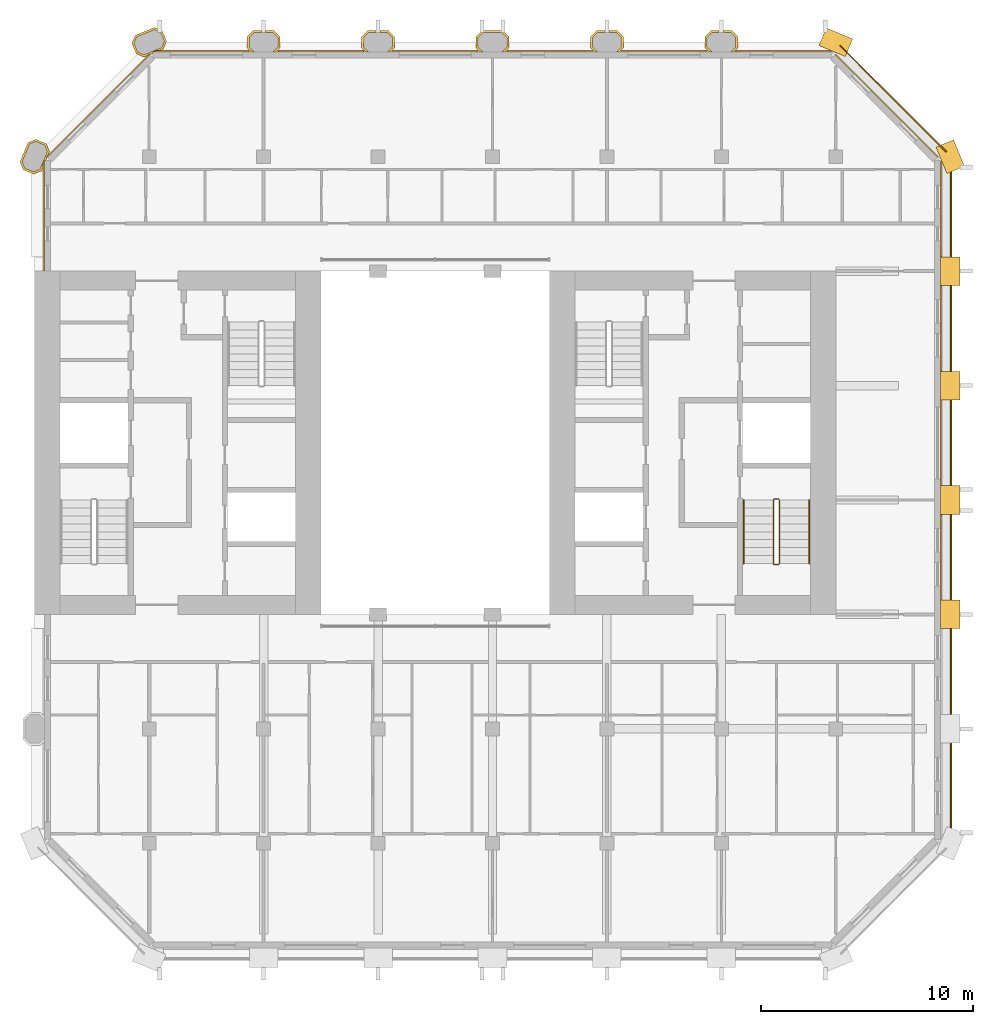
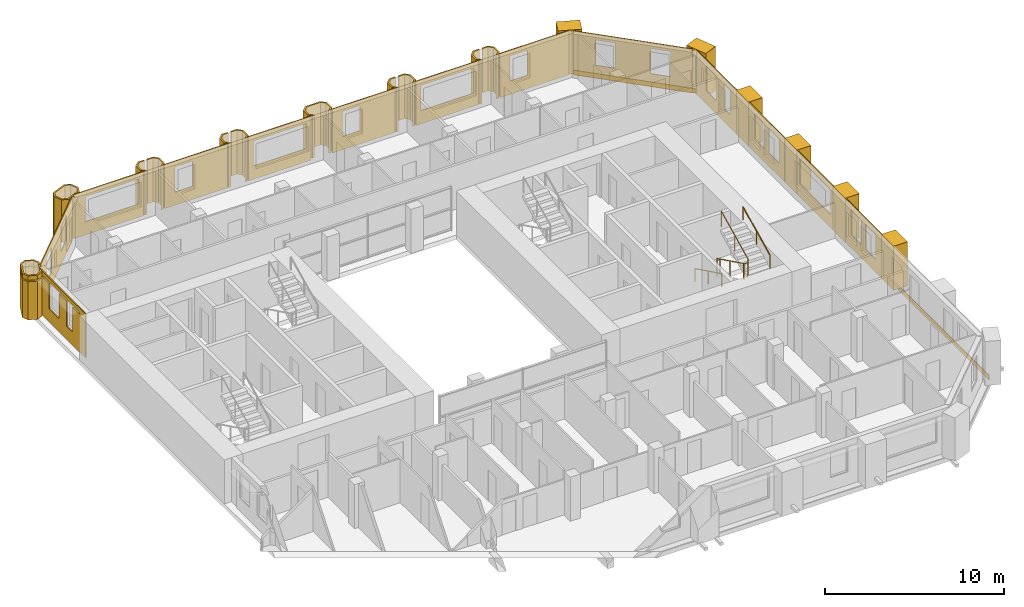
# One storey, part 14 of 14: 33 coverings, 3 railings.
"""IFC4 building model written with IfcOpenShell, lengths in metres."""

import ifcopenshell
import ifcopenshell.guid

model = None  # the IFC model being written
_history = None  # IfcOwnerHistory: only IFC2X3 demands one
_inside = {}  # id of a spatial element -> (the spatial element, [elements in it])
_under = {}  # id of a project, library or spatial element -> (it, [spatial elements below it])
_declared = {}  # id of a project -> (the project, [libraries it declares])
_typed = {}  # id of a type object -> (the type object, [elements of that type])
_made_of = {}  # id of a material, layer set ... -> (it, [elements and type objects made of it])


def new_model(schema):
    """Start an empty IFC model of exactly this schema.

    Asked for "IFC4X3", IfcOpenShell would pick the latest addendum, in which some entities
    have other attributes; the version numbers below select the first issue.
    IFC2X3 requires an IfcOwnerHistory on every rooted entity: one is made here for all.
    """
    global model, _history
    if schema == "IFC4X3":
        model = ifcopenshell.file(schema_version=(4, 3, 0, 0))
    else:
        model = ifcopenshell.file(schema=schema)
    _inside.clear()
    _under.clear()
    _declared.clear()
    _typed.clear()
    _made_of.clear()
    _history = None
    if model.schema == "IFC2X3":
        org = make("IfcOrganization", Name="unknown")
        user = make(
            "IfcPersonAndOrganization",
            ThePerson=make("IfcPerson", FamilyName="unknown"),
            TheOrganization=org,
        )
        app = make(
            "IfcApplication",
            ApplicationDeveloper=org,
            Version="unknown",
            ApplicationFullName="unknown",
            ApplicationIdentifier="unknown",
        )
        _history = make(
            "IfcOwnerHistory",
            OwningUser=user,
            OwningApplication=app,
            ChangeAction="ADDED",
            CreationDate=0,
        )
    return model


def make(cls, **values):
    """One entity of the class cls with the attributes given. An attribute that is None is left unset."""
    return model.create_entity(
        cls, **{name: value for name, value in values.items() if value is not None}
    )


def rooted(cls, **values):
    """An entity with a GlobalId (a new one), such as an element, a storey or a relation."""
    return make(cls, GlobalId=ifcopenshell.guid.new(), OwnerHistory=_history, **values)


def si_unit(unit_type, name, prefix=None):
    """IfcSIUnit, for example si_unit("LENGTHUNIT", "METRE", prefix="MILLI")."""
    return make("IfcSIUnit", UnitType=unit_type, Prefix=prefix, Name=name)


def assignment(units):
    """IfcUnitAssignment: the units of a project."""
    return None if units is None else make("IfcUnitAssignment", Units=units)


def point(xyz):
    """IfcCartesianPoint."""
    return None if xyz is None else make("IfcCartesianPoint", Coordinates=xyz)


def direction(xyz):
    """IfcDirection."""
    return None if xyz is None else make("IfcDirection", DirectionRatios=xyz)


def frame(location, z_axis=None, x_axis=None):
    """IfcAxis2Placement3D, a coordinate frame: its origin and axes. An axis left out is left unset."""
    return make(
        "IfcAxis2Placement3D",
        Location=point(location),
        Axis=direction(z_axis),
        RefDirection=direction(x_axis),
    )


def frame_2d(location, x_axis=None):
    """IfcAxis2Placement2D, a coordinate frame in the plane: its origin and x axis."""
    return make(
        "IfcAxis2Placement2D", Location=point(location), RefDirection=direction(x_axis)
    )


def origin():
    """The frame at (0, 0, 0) with its axes left unset."""
    return frame((0.0, 0.0, 0.0))


def origin_2d():
    """The frame at (0, 0) in the plane with its x axis left unset."""
    return frame_2d((0.0, 0.0))


def place(relative_to, where):
    """IfcLocalPlacement: puts the frame where relative to a parent placement (None: the world)."""
    return make(
        "IfcLocalPlacement", PlacementRelTo=relative_to, RelativePlacement=where
    )


def context(
    kind, dimensions, precision=None, world=None, true_north=None, identifier=None
):
    """IfcGeometricRepresentationContext, for example the 3D "Model" context."""
    return make(
        "IfcGeometricRepresentationContext",
        ContextIdentifier=identifier,
        ContextType=kind,
        CoordinateSpaceDimension=dimensions,
        Precision=precision,
        WorldCoordinateSystem=world,
        TrueNorth=true_north,
    )


def subcontext(parent, identifier, kind, view, scale=None):
    """IfcGeometricRepresentationSubContext, for example "Body" below "Model"."""
    return make(
        "IfcGeometricRepresentationSubContext",
        ContextIdentifier=identifier,
        ContextType=kind,
        ParentContext=parent,
        TargetScale=scale,
        TargetView=view,
    )


def project(units=None, contexts=None):
    """IfcProject with its units and contexts."""
    return rooted(
        "IfcProject",
        Name="project",
        RepresentationContexts=contexts,
        UnitsInContext=assignment(units),
    )


def spatial(cls, under=None, at=None, **own):
    """A site, building, storey or space (cls), placed at a placement, below another one or the project."""
    s = rooted(cls, ObjectPlacement=at, **own)
    if under is not None:
        _under.setdefault(under.id(), (under, []))[1].append(s)
    return s


def polyline(points):
    """IfcPolyline through the points."""
    return make("IfcPolyline", Points=[point(p) for p in points])


def profile(cls, at=None, kind="AREA", **sizes):
    """A parametric profile (cls). Its sizes go by their IFC names, for example OverallWidth=200.0."""
    return make(cls, ProfileType=kind, Position=at, **sizes)


def rectangle(**sizes):
    """IfcRectangleProfileDef."""
    return profile("IfcRectangleProfileDef", **sizes)


def circle(**sizes):
    """IfcCircleProfileDef."""
    return profile("IfcCircleProfileDef", **sizes)


def outline(outer, holes=None, kind="AREA"):
    """IfcArbitraryClosedProfileDef: a profile drawn as a closed curve; with holes, ...WithVoids."""
    if holes is None:
        return make("IfcArbitraryClosedProfileDef", ProfileType=kind, OuterCurve=outer)
    return make(
        "IfcArbitraryProfileDefWithVoids",
        ProfileType=kind,
        OuterCurve=outer,
        InnerCurves=holes,
    )


def extrude(swept, where, along, depth):
    """IfcExtrudedAreaSolid: the profile swept, set in the frame where, extruded along a direction by depth."""
    return make(
        "IfcExtrudedAreaSolid",
        SweptArea=swept,
        Position=where,
        ExtrudedDirection=direction(along),
        Depth=depth,
    )


def shape(context_of_items, identifier, shape_type, items):
    """IfcShapeRepresentation: the items that make up one representation, for example the "Body"."""
    return make(
        "IfcShapeRepresentation",
        ContextOfItems=context_of_items,
        RepresentationIdentifier=identifier,
        RepresentationType=shape_type,
        Items=items,
    )


def material(Name=None, Category=None):
    """IfcMaterial."""
    return make("IfcMaterial", Name=Name, Category=Category)


def layer(
    of_material, thickness, ventilated=None, Name=None, Category=None, Priority=None
):
    """IfcMaterialLayer: one layer of a wall or slab, of a material (None: an air gap)."""
    return make(
        "IfcMaterialLayer",
        Material=of_material,
        LayerThickness=thickness,
        IsVentilated=ventilated,
        Name=Name,
        Category=Category,
        Priority=Priority,
    )


def layer_set(layers, Name=None):
    """IfcMaterialLayerSet."""
    return make("IfcMaterialLayerSet", MaterialLayers=layers, LayerSetName=Name)


def made_of(thing, what):
    """Note that an element or type object is made of a material, layer set ...; save() writes the relation."""
    if what is not None:
        _made_of.setdefault(what.id(), (what, []))[1].append(thing)
    return thing


def type_object(cls, material=None, **own):
    """A type object (cls), such as IfcWallType, which elements share."""
    return made_of(rooted(cls, **own), material)


def element(
    cls,
    number,
    at=None,
    inside=None,
    cuts=None,
    type_object=None,
    material=None,
    context=None,
    identifier="Body",
    shape_type=None,
    held_by="IfcProductDefinitionShape",
    body=None,
    shapes=None,
    **own,
):
    """One element of the class cls, such as IfcWall. Its Tag is "e" and its number.

    at: its placement. inside: the storey or other place that contains it. cuts: it is an
    opening in that element (IfcRelVoidsElement). A single representation is given by context,
    identifier, shape_type and body (its items); several are given by shapes. held_by: the class
    of the entity that holds the representations. save() writes the other relations.
    """
    e = rooted(cls, Tag="e%d" % number, ObjectPlacement=at, **own)
    if body is not None:
        shapes = [shape(context, identifier, shape_type, body)]
    if shapes is not None:
        e.Representation = make(held_by, Representations=shapes)
    if inside is not None:
        _inside.setdefault(inside.id(), (inside, []))[1].append(e)
    if cuts is not None:
        rooted(
            "IfcRelVoidsElement", RelatingBuildingElement=cuts, RelatedOpeningElement=e
        )
    if type_object is not None:
        _typed.setdefault(type_object.id(), (type_object, []))[1].append(e)
    return made_of(e, material)


def aggregate(whole, parts):
    """IfcRelAggregates: a whole, such as a stair, and the parts it consists of."""
    return rooted("IfcRelAggregates", RelatingObject=whole, RelatedObjects=parts)


def save(model, path):
    """Write the relations noted so far, then the file.

    IfcRelAggregates (storeys below a building ...), IfcRelContainedInSpatialStructure (elements
    in a storey), IfcRelDefinesByType, IfcRelAssociatesMaterial and IfcRelDeclares: one each for
    every whole, place, type object, material and project.
    """
    for whole, parts in _under.values():
        aggregate(whole, parts)
    for where, things in _inside.values():
        rooted(
            "IfcRelContainedInSpatialStructure",
            RelatedElements=things,
            RelatingStructure=where,
        )
    for kind, things in _typed.values():
        rooted("IfcRelDefinesByType", RelatedObjects=things, RelatingType=kind)
    for what, things in _made_of.values():
        rooted("IfcRelAssociatesMaterial", RelatedObjects=things, RelatingMaterial=what)
    for by, libraries in _declared.values():
        rooted("IfcRelDeclares", RelatingContext=by, RelatedDefinitions=libraries)
    model.write(path)


model = new_model("IFC4")

# Units and contexts
model_context = context("Model", 3, precision=1e-05, world=origin(), true_north=direction((0.0, 1.0)))
body_context = subcontext(model_context, "Body", "Model", "MODEL_VIEW")
ifc_project = project(units=[si_unit("LENGTHUNIT", "METRE"), si_unit("AREAUNIT", "SQUARE_METRE"), si_unit("VOLUMEUNIT", "CUBIC_METRE"), si_unit("PLANEANGLEUNIT", "RADIAN"), si_unit("MASSUNIT", "GRAM", prefix="KILO")], contexts=[model_context])

# Site, building, storey
site_placement = place(None, origin())
site = spatial("IfcSite", under=ifc_project, at=site_placement, CompositionType="ELEMENT")
building_placement = place(site_placement, origin())
building = spatial("IfcBuilding", under=site, at=building_placement, Name="Tabaq Tower and Sports Hall", CompositionType="ELEMENT")
storey_placement = place(building_placement, frame((0.0, 0.0, 281.800048828125)))
storey = spatial("IfcBuildingStorey", under=building, at=storey_placement, Name="L69", CompositionType="ELEMENT", Elevation=281.800048828125)

# Coverings
ifc_material_1 = material(Name="Precast concrete C60/75", Category="concrete")
ifc_layer_1 = layer(ifc_material_1, 0.10009765625)
ifc_layer_set_1 = layer_set([ifc_layer_1], Name="Column cladding 100")
covering_type_1 = type_object("IfcCoveringType", Name="Column cladding 100", PredefinedType="CLADDING", material=ifc_layer_set_1)
covering_1_placement = place(storey_placement, origin())
element("IfcCovering", 1, at=covering_1_placement, inside=storey, type_object=covering_type_1, Name="Column cladding L69 PC-2H-R1", PredefinedType="CLADDING", context=body_context, shape_type="SweptSolid", body=[
    extrude(outline(polyline([(4.857421875, 37.186279296875), (4.7041015625, 37.556396484375), (5.080078125, 38.46435546875), (5.450439453125, 38.61767578125), (5.9423828125, 38.413818359375), (6.095947265625, 38.04345703125), (6.026123046875, 37.875), (5.9501953125, 37.799072265625), (5.9814453125, 37.767578125), (5.91796875, 37.614013671875), (5.849609375, 37.614013671875), (5.849609375, 37.55712890625), (5.789794921875, 37.55712890625), (5.789794921875, 37.304443359375), (5.7197265625, 37.1357421875), (5.349609375, 36.982421875), (4.857421875, 37.186279296875)]), holes=[polyline([(5.866455078125, 38.337646484375), (5.450439453125, 38.510009765625), (5.15625, 38.38818359375), (4.811767578125, 37.556396484375), (4.93359375, 37.26220703125), (5.349609375, 37.08984375), (5.643798828125, 37.2119140625), (5.98828125, 38.04345703125), (5.866455078125, 38.337646484375)])]), origin(), (0.0, 0.0, 1.0), 2.599853515625),
])
covering_2_placement = place(storey_placement, frame((0.0, 0.0, 2.699951171875)))
element("IfcCovering", 2, at=covering_2_placement, inside=storey, type_object=covering_type_1, Name="Column cladding L69 PC-2H-R1 2", PredefinedType="CLADDING", context=body_context, shape_type="SweptSolid", body=[
    extrude(outline(polyline([(4.857421875, 37.186279296875), (4.7041015625, 37.556396484375), (5.080078125, 38.46435546875), (5.450439453125, 38.61767578125), (5.9423828125, 38.413818359375), (6.095947265625, 38.04345703125), (6.026123046875, 37.875), (5.9501953125, 37.799072265625), (5.9814453125, 37.767578125), (5.91796875, 37.614013671875), (5.849609375, 37.614013671875), (5.849609375, 37.55712890625), (5.789794921875, 37.55712890625), (5.789794921875, 37.304443359375), (5.7197265625, 37.1357421875), (5.349609375, 36.982421875), (4.857421875, 37.186279296875)]), holes=[polyline([(5.866455078125, 38.337646484375), (5.450439453125, 38.510009765625), (5.15625, 38.38818359375), (4.811767578125, 37.556396484375), (4.93359375, 37.26220703125), (5.349609375, 37.08984375), (5.643798828125, 37.2119140625), (5.98828125, 38.04345703125), (5.866455078125, 38.337646484375)])]), origin(), (0.0, 0.0, 1.0), 0.300048828125),
])
covering_3_placement = place(storey_placement, frame((0.0, 0.0, 0.099853515625)))
element("IfcCovering", 3, at=covering_3_placement, inside=storey, type_object=covering_type_1, Name="Column cladding L69 PC-3I-R1", PredefinedType="CLADDING", context=body_context, shape_type="SweptSolid", body=[
    extrude(outline(polyline([(9.982421875, 43.149658203125), (10.1357421875, 43.519775390625), (11.04345703125, 43.895751953125), (11.413818359375, 43.742431640625), (11.61767578125, 43.25048828125), (11.46435546875, 42.880126953125), (11.295654296875, 42.810302734375), (11.04296875, 42.810302734375), (11.04296875, 42.750244140625), (10.986083984375, 42.750244140625), (10.986083984375, 42.68212890625), (10.83251953125, 42.618408203125), (10.801025390625, 42.64990234375), (10.72509765625, 42.573974609375), (10.556396484375, 42.504150390625), (10.186279296875, 42.657470703125), (9.982421875, 43.149658203125)]), holes=[polyline([(11.510009765625, 43.25048828125), (11.337646484375, 43.66650390625), (11.04345703125, 43.788330078125), (10.2119140625, 43.44384765625), (10.08984375, 43.149658203125), (10.26220703125, 42.733642578125), (10.556396484375, 42.61181640625), (11.38818359375, 42.956298828125), (11.510009765625, 43.25048828125)])]), origin(), (0.0, 0.0, 1.0), 2.900146484375),
])
covering_4_placement = place(storey_placement, origin())
element("IfcCovering", 4, at=covering_4_placement, inside=storey, type_object=covering_type_1, Name="Column cladding L69 PC-4I-R1", PredefinedType="CLADDING", context=body_context, shape_type="SweptSolid", body=[
    extrude(outline(polyline([(16.69140625, 43.749755859375), (16.974609375, 43.46630859375), (16.974609375, 42.93359375), (16.791259765625, 42.750244140625), (16.650634765625, 42.750244140625), (16.875244140625, 42.974853515625), (16.875244140625, 43.425048828125), (16.650146484375, 43.650390625), (16.30029296875, 43.650390625), (16.30029296875, 43.749755859375), (16.69140625, 43.749755859375)])), origin(), (0.0, 0.0, 1.0), 3.0),
])
covering_5_placement = place(storey_placement, origin())
element("IfcCovering", 5, at=covering_5_placement, inside=storey, type_object=covering_type_1, Name="Column cladding L69 PC-4I-R1 2", PredefinedType="CLADDING", context=body_context, shape_type="SweptSolid", body=[
    extrude(outline(polyline([(15.42529296875, 43.46630859375), (15.708740234375, 43.749755859375), (16.099609375, 43.749755859375), (16.099609375, 43.650390625), (15.749755859375, 43.650390625), (15.524658203125, 43.425048828125), (15.524658203125, 42.974853515625), (15.749267578125, 42.750244140625), (15.608642578125, 42.750244140625), (15.42529296875, 42.93359375), (15.42529296875, 43.46630859375)])), origin(), (0.0, 0.0, 1.0), 3.0),
])
covering_6_placement = place(storey_placement, origin())
element("IfcCovering", 6, at=covering_6_placement, inside=storey, type_object=covering_type_1, Name="Column cladding L69 PC-5I-R1", PredefinedType="CLADDING", context=body_context, shape_type="SweptSolid", body=[
    extrude(outline(polyline([(22.09130859375, 43.749755859375), (22.374755859375, 43.46630859375), (22.374755859375, 42.93359375), (22.19140625, 42.750244140625), (22.05078125, 42.750244140625), (22.275390625, 42.974853515625), (22.275390625, 43.425048828125), (22.050048828125, 43.650390625), (21.7001953125, 43.650390625), (21.7001953125, 43.749755859375), (22.09130859375, 43.749755859375)])), origin(), (0.0, 0.0, 1.0), 3.0),
])
covering_7_placement = place(storey_placement, origin())
element("IfcCovering", 7, at=covering_7_placement, inside=storey, type_object=covering_type_1, Name="Column cladding L69 PC-5I-R1 2", PredefinedType="CLADDING", context=body_context, shape_type="SweptSolid", body=[
    extrude(outline(polyline([(20.8251953125, 43.46630859375), (21.108642578125, 43.749755859375), (21.499755859375, 43.749755859375), (21.499755859375, 43.650390625), (21.14990234375, 43.650390625), (20.9248046875, 43.425048828125), (20.9248046875, 42.974853515625), (21.149169921875, 42.750244140625), (21.0087890625, 42.750244140625), (20.8251953125, 42.93359375), (20.8251953125, 43.46630859375)])), origin(), (0.0, 0.0, 1.0), 3.0),
])
covering_8_placement = place(storey_placement, frame((0.0, 0.0, 0.099853515625)))
element("IfcCovering", 8, at=covering_8_placement, inside=storey, type_object=covering_type_1, Name="Column cladding L69 PC-6I-R1", PredefinedType="CLADDING", context=body_context, shape_type="SweptSolid", body=[
    extrude(outline(polyline([(26.225341796875, 43.46630859375), (26.5087890625, 43.749755859375), (27.4912109375, 43.749755859375), (27.774658203125, 43.46630859375), (27.774658203125, 42.93359375), (27.59130859375, 42.750244140625), (27.45068359375, 42.750244140625), (27.67529296875, 42.974853515625), (27.67529296875, 43.425048828125), (27.4501953125, 43.650390625), (26.5498046875, 43.650390625), (26.32470703125, 43.425048828125), (26.32470703125, 42.974853515625), (26.54931640625, 42.750244140625), (26.40869140625, 42.750244140625), (26.225341796875, 42.93359375), (26.225341796875, 43.46630859375)])), origin(), (0.0, 0.0, 1.0), 2.900146484375),
])
covering_9_placement = place(storey_placement, origin())
element("IfcCovering", 9, at=covering_9_placement, inside=storey, type_object=covering_type_1, Name="Column cladding L69 PC-7I-R1", PredefinedType="CLADDING", context=body_context, shape_type="SweptSolid", body=[
    extrude(outline(polyline([(31.625244140625, 43.46630859375), (31.90869140625, 43.749755859375), (32.2998046875, 43.749755859375), (32.2998046875, 43.650390625), (31.949951171875, 43.650390625), (31.724609375, 43.425048828125), (31.724609375, 42.974853515625), (31.94921875, 42.750244140625), (31.80859375, 42.750244140625), (31.625244140625, 42.93359375), (31.625244140625, 43.46630859375)])), origin(), (0.0, 0.0, 1.0), 3.0),
])
covering_10_placement = place(storey_placement, origin())
element("IfcCovering", 10, at=covering_10_placement, inside=storey, type_object=covering_type_1, Name="Column cladding L69 PC-7I-R1 2", PredefinedType="CLADDING", context=body_context, shape_type="SweptSolid", body=[
    extrude(outline(polyline([(32.891357421875, 43.749755859375), (33.1748046875, 43.46630859375), (33.1748046875, 42.93359375), (32.9912109375, 42.750244140625), (32.850830078125, 42.750244140625), (33.0751953125, 42.974853515625), (33.0751953125, 43.425048828125), (32.85009765625, 43.650390625), (32.500244140625, 43.650390625), (32.500244140625, 43.749755859375), (32.891357421875, 43.749755859375)])), origin(), (0.0, 0.0, 1.0), 3.0),
])
covering_11_placement = place(storey_placement, origin())
element("IfcCovering", 11, at=covering_11_placement, inside=storey, type_object=covering_type_1, Name="Column cladding L69 PC-8I-R1", PredefinedType="CLADDING", context=body_context, shape_type="SweptSolid", body=[
    extrude(outline(polyline([(37.025390625, 43.46630859375), (37.30859375, 43.749755859375), (37.69970703125, 43.749755859375), (37.69970703125, 43.650390625), (37.349853515625, 43.650390625), (37.124755859375, 43.425048828125), (37.124755859375, 42.974853515625), (37.349365234375, 42.750244140625), (37.208740234375, 42.750244140625), (37.025390625, 42.93359375), (37.025390625, 43.46630859375)])), origin(), (0.0, 0.0, 1.0), 3.0),
])
covering_12_placement = place(storey_placement, origin())
element("IfcCovering", 12, at=covering_12_placement, inside=storey, type_object=covering_type_1, Name="Column cladding L69 PC-8I-R1 2", PredefinedType="CLADDING", context=body_context, shape_type="SweptSolid", body=[
    extrude(outline(polyline([(38.291259765625, 43.749755859375), (38.57470703125, 43.46630859375), (38.57470703125, 42.93359375), (38.391357421875, 42.750244140625), (38.250732421875, 42.750244140625), (38.475341796875, 42.974853515625), (38.475341796875, 43.425048828125), (38.250244140625, 43.650390625), (37.900390625, 43.650390625), (37.900390625, 43.749755859375), (38.291259765625, 43.749755859375)])), origin(), (0.0, 0.0, 1.0), 3.0),
])
ifc_material_2 = material(Name="Precast concrete C60/75", Category="concrete")
ifc_layer_2 = layer(ifc_material_2, 0.06005859375)
ifc_layer_set_2 = layer_set([ifc_layer_2], Name="Edge beam cladding 60")
covering_type_2 = type_object("IfcCoveringType", Name="Edge beam cladding 60", PredefinedType="CLADDING", material=ifc_layer_set_2)
covering_13_placement = place(storey_placement, frame((48.6298828125, 5.698486328125, -0.300048828125), z_axis=(0.0, 0.0, 1.0), x_axis=(0.0, 1.0, 0.0)))
element("IfcCovering", 13, at=covering_13_placement, inside=storey, type_object=covering_type_2, Name="Edge beam cladding L69 3", PredefinedType="CLADDING", context=body_context, shape_type="SweptSolid", body=[
    extrude(rectangle(XDim=31.802978515625, YDim=0.06005859375, at=frame_2d((15.9013671875, 0.0))), origin(), (0.0, 0.0, 1.0), 0.300048828125),
])
covering_14_placement = place(storey_placement, frame((48.41015625, 38.0322265625, -0.300048828125), z_axis=(0.0, 0.0, 1.0), x_axis=(-0.707106781187, 0.707106781187, 0.0)))
element("IfcCovering", 14, at=covering_14_placement, inside=storey, type_object=covering_type_2, Name="Edge beam cladding L69 4", PredefinedType="CLADDING", context=body_context, shape_type="SweptSolid", body=[
    extrude(rectangle(XDim=7.08837890625, YDim=0.06005859375, at=frame_2d((3.544189453125, 0.0))), origin(), (0.0, 0.0, 1.0), 0.300048828125),
])
ifc_material_3 = material(Name="White precast concrete C60/75", Category="concrete")
covering_type_3 = type_object("IfcCoveringType", Name="Pier cladding hung 1350x900", PredefinedType="CLADDING", material=ifc_material_3)
for number, where, z_axis, x_axis, name in (
    (15, (43.82373046875, 42.941650390625, 0.0), (0.0, 0.0, 1.0), (-0.923893411637, 0.382649923473, 0.0), "Hung pier cladding 8/8"),
    (16, (48.60009765625, 15.52490234375, 0.0), (0.0, 0.0, 1.0), (0.0, 1.0, 0.0), "Hung pier cladding 9/3"),
):
    element("IfcCovering", number, at=place(storey_placement, frame(where, z_axis=z_axis, x_axis=x_axis)), inside=storey, type_object=covering_type_3, Name=name, PredefinedType="CLADDING", context=body_context, shape_type="SweptSolid", body=[
        extrude(rectangle(XDim=1.35009765625, YDim=0.89990234375, at=frame_2d((0.675048828125, 0.0))), origin(), (0.0, 0.0, 1.0), 3.0),
    ])
covering_15_placement = place(storey_placement, frame((48.60009765625, 20.925048828125, 0.0), z_axis=(0.0, 0.0, 1.0), x_axis=(0.0, 1.0, 0.0)))
element("IfcCovering", 17, at=covering_15_placement, inside=storey, type_object=covering_type_3, Name="Hung pier cladding 9/4", PredefinedType="CLADDING", context=body_context, shape_type="SweptSolid", body=[
    extrude(rectangle(XDim=1.349853515625, YDim=0.89990234375, at=frame_2d((0.6748046875, 0.0))), origin(), (0.0, 0.0, 1.0), 3.0),
])
covering_16_placement = place(storey_placement, frame((48.60009765625, 26.324951171875, 0.0), z_axis=(0.0, 0.0, 1.0), x_axis=(0.0, 1.0, 0.0)))
element("IfcCovering", 18, at=covering_16_placement, inside=storey, type_object=covering_type_3, Name="Hung pier cladding 9/5", PredefinedType="CLADDING", context=body_context, shape_type="SweptSolid", body=[
    extrude(rectangle(XDim=1.35009765625, YDim=0.89990234375, at=frame_2d((0.675048828125, 0.0))), origin(), (0.0, 0.0, 1.0), 3.0),
])
covering_17_placement = place(storey_placement, frame((48.60009765625, 31.72509765625, 0.0), z_axis=(0.0, 0.0, 1.0), x_axis=(0.0, 1.0, 0.0)))
element("IfcCovering", 19, at=covering_17_placement, inside=storey, type_object=covering_type_3, Name="Hung pier cladding 9/6", PredefinedType="CLADDING", context=body_context, shape_type="SweptSolid", body=[
    extrude(rectangle(XDim=1.349853515625, YDim=0.89990234375, at=frame_2d((0.6748046875, 0.0))), origin(), (0.0, 0.0, 1.0), 3.0),
])
covering_18_placement = place(storey_placement, frame((48.8583984375, 37.17626953125, 0.0), z_axis=(0.0, 0.0, 1.0), x_axis=(-0.382649923473, 0.923893411637, 0.0)))
element("IfcCovering", 20, at=covering_18_placement, inside=storey, type_object=covering_type_3, Name="Hung pier cladding 9/7", PredefinedType="CLADDING", context=body_context, shape_type="SweptSolid", body=[
    extrude(rectangle(XDim=1.35009765625, YDim=0.89990234375, at=frame_2d((0.675048828125, 0.0))), origin(), (0.0, 0.0, 1.0), 3.0),
])

# Railings
ifc_material_4 = material(Name="Stainless steel", Category="steel")
railing_type_1 = type_object("IfcRailingType", Name="Stair guard", PredefinedType="GUARDRAIL", material=ifc_material_4)
railing_1_placement = place(storey_placement, frame((40.5, 21.64990234375, 0.0)))
element("IfcRailing", 21, at=railing_1_placement, inside=storey, type_object=railing_type_1, Name="L69 ST3 stair guard 1", PredefinedType="GUARDRAIL", context=body_context, shape_type="SweptSolid", body=[
    extrude(circle(Radius=0.02392578125, at=origin_2d()), frame((0.0, 0.0, 1.076171875), z_axis=(-1.0, 0.0, 0.0), x_axis=(0.0, -1.0, 0.0)), (0.0, 0.0, 1.0), 0.199951171875),
    extrude(circle(Radius=0.02392578125, at=origin_2d()), frame((-0.199951171875, 0.0, 1.076171875), z_axis=(-0.254733673405, -0.25349107012, 0.933195066962), x_axis=(0.705375805398, -0.708833529934, 0.0)), (0.0, 0.0, 1.0), 0.196533203125),
    extrude(circle(Radius=0.02392578125, at=origin_2d()), frame((-0.25, -0.0498046875, 1.25927734375), z_axis=(0.0, -0.898397823093, 0.439182594671), x_axis=(1.0, 0.0, 0.0)), (0.0, 0.0, 1.0), 3.33935546875),
    extrude(circle(Radius=0.02392578125, at=origin_2d()), frame((-0.25, -3.0498046875, 2.72607421875), z_axis=(0.707106781187, -0.707106781187, 0.0), x_axis=(0.707106781187, 0.707106781187, 0.0)), (0.0, 0.0, 1.0), 0.07080078125),
    extrude(circle(Radius=0.02392578125, at=origin_2d()), frame((-0.199951171875, -3.099853515625, 2.72607421875), z_axis=(1.0, 0.0, 0.0), x_axis=(0.0, 1.0, 0.0)), (0.0, 0.0, 1.0), 0.199951171875),
    extrude(circle(Radius=0.02392578125, at=origin_2d()), frame((0.0, -3.099853515625, 2.72607421875), z_axis=(0.254653276557, 0.254653276557, 0.932900539971), x_axis=(-0.707106781187, 0.707106781187, 0.0)), (0.0, 0.0, 1.0), 0.196533203125),
    extrude(circle(Radius=0.02392578125, at=origin_2d()), frame((0.050048828125, -3.0498046875, 2.9091796875), z_axis=(0.0, 0.898368975038, 0.439241601728), x_axis=(-1.0, 0.0, 0.0)), (0.0, 0.0, 1.0), 3.33935546875),
    extrude(circle(Radius=0.02099609375, at=origin_2d()), origin(), (0.0, 0.0, 1.0), 1.052001953125),
    extrude(circle(Radius=0.02099609375, at=origin_2d()), frame((-0.199951171875, 0.0, 0.0)), (0.0, 0.0, 1.0), 1.052001953125),
    extrude(circle(Radius=0.02099609375, at=origin_2d()), frame((-0.25, -0.0498046875, 0.183349609375)), (0.0, 0.0, 1.0), 1.052001953125),
    extrude(circle(Radius=0.02099609375, at=origin_2d()), frame((-0.25, -1.5498046875, 0.91650390625)), (0.0, 0.0, 1.0), 1.052001953125),
    extrude(circle(Radius=0.02099609375, at=origin_2d()), frame((-0.25, -3.0498046875, 1.64990234375)), (0.0, 0.0, 1.0), 1.052001953125),
    extrude(circle(Radius=0.02099609375, at=origin_2d()), frame((-0.199951171875, -3.099853515625, 1.64990234375)), (0.0, 0.0, 1.0), 1.052001953125),
    extrude(circle(Radius=0.02099609375, at=origin_2d()), frame((0.0, -3.099853515625, 1.64990234375)), (0.0, 0.0, 1.0), 1.052001953125),
    extrude(circle(Radius=0.02099609375, at=origin_2d()), frame((0.050048828125, -3.0498046875, 1.833251953125)), (0.0, 0.0, 1.0), 1.052001953125),
    extrude(circle(Radius=0.02099609375, at=origin_2d()), frame((0.050048828125, -1.5498046875, 2.566650390625)), (0.0, 0.0, 1.0), 1.052001953125),
    extrude(circle(Radius=0.02099609375, at=origin_2d()), frame((0.050048828125, -0.0498046875, 3.300048828125)), (0.0, 0.0, 1.0), 1.052001953125),
])
ifc_material_5 = material(Name="Stainless steel", Category="steel")
railing_type_2 = type_object("IfcRailingType", Name="Stair handrail", PredefinedType="HANDRAIL", material=ifc_material_5)
railing_2_placement = place(storey_placement, frame((38.85009765625, 21.60009765625, 0.183349609375)))
element("IfcRailing", 22, at=railing_2_placement, inside=storey, type_object=railing_type_2, Name="L69 ST3 stair handrail 1", PredefinedType="HANDRAIL", context=body_context, shape_type="SweptSolid", body=[
    extrude(circle(Radius=0.02392578125, at=origin_2d()), frame((0.0, 0.0, 0.8759765625), z_axis=(0.0, -0.898397823093, 0.439182594671), x_axis=(1.0, 0.0, 0.0)), (0.0, 0.0, 1.0), 3.33935546875),
    extrude(circle(Radius=0.02099609375, at=origin_2d()), origin(), (0.0, 0.0, 1.0), 0.851806640625),
    extrude(circle(Radius=0.02099609375, at=origin_2d()), frame((0.0, -1.5, 0.7333984375)), (0.0, 0.0, 1.0), 0.851806640625),
    extrude(circle(Radius=0.02099609375, at=origin_2d()), frame((0.0, -3.0, 1.466552734375)), (0.0, 0.0, 1.0), 0.851806640625),
])
railing_3_placement = place(storey_placement, frame((41.949951171875, 18.60009765625, 1.833251953125)))
element("IfcRailing", 23, at=railing_3_placement, inside=storey, type_object=railing_type_2, Name="L69 ST3 stair handrail 2", PredefinedType="HANDRAIL", context=body_context, shape_type="SweptSolid", body=[
    extrude(circle(Radius=0.02392578125, at=origin_2d()), frame((0.0, 0.0, 0.8759765625), z_axis=(0.0, 0.898368975038, 0.439241601728), x_axis=(-1.0, 0.0, 0.0)), (0.0, 0.0, 1.0), 3.33935546875),
    extrude(circle(Radius=0.02099609375, at=origin_2d()), origin(), (0.0, 0.0, 1.0), 0.851806640625),
    extrude(circle(Radius=0.02099609375, at=origin_2d()), frame((0.0, 1.5, 0.7333984375)), (0.0, 0.0, 1.0), 0.851806640625),
    extrude(circle(Radius=0.02099609375, at=origin_2d()), frame((0.0, 3.0, 1.466796875)), (0.0, 0.0, 1.0), 0.851806640625),
])

# Coverings
ifc_material_6 = material(Name="Precast concrete C60/75", Category="concrete")
ifc_layer_3 = layer(ifc_material_6, 0.06005859375)
ifc_layer_set_3 = layer_set([ifc_layer_3], Name="White precast cladding panel 60 C60/75")
covering_type_4 = type_object("IfcCoveringType", Name="White precast cladding panel 60 C60/75", PredefinedType="CLADDING", material=ifc_layer_set_3)
covering_19_placement = place(storey_placement, frame((48.179931640625, 16.885009765625, 0.0), z_axis=(0.0, 0.0, 1.0), x_axis=(0.0, 1.0, 0.0)))
element("IfcCovering", 24, at=covering_19_placement, inside=storey, type_object=covering_type_4, Name="White precast cladding panel L69 wall02 3", PredefinedType="CLADDING", context=body_context, shape_type="SweptSolid", body=[
    extrude(outline(polyline([(0.0, 0.0), (4.030029296875, 0.0), (4.030029296875, 3.0), (0.0, 3.0), (0.0, 0.0)]), holes=[polyline([(0.655029296875, 2.60986328125), (1.77490234375, 2.60986328125), (1.77490234375, 0.889892578125), (0.655029296875, 0.889892578125), (0.655029296875, 2.60986328125)]), polyline([(2.2548828125, 2.60986328125), (3.375, 2.60986328125), (3.375, 0.889892578125), (2.2548828125, 0.889892578125), (2.2548828125, 2.60986328125)])]), frame((0.0, 0.030029296875, 0.0), z_axis=(0.0, -1.0, 0.0), x_axis=(1.0, 0.0, 0.0)), (0.0, 0.0, 1.0), 0.06005859375),
])
covering_20_placement = place(storey_placement, frame((48.179931640625, 22.284912109375, 0.0), z_axis=(0.0, 0.0, 1.0), x_axis=(0.0, 1.0, 0.0)))
element("IfcCovering", 25, at=covering_20_placement, inside=storey, type_object=covering_type_4, Name="White precast cladding panel L69 wall02 4", PredefinedType="CLADDING", context=body_context, shape_type="SweptSolid", body=[
    extrude(outline(polyline([(0.0, 0.0), (4.030029296875, 0.0), (4.030029296875, 3.0), (0.0, 3.0), (0.0, 0.0)]), holes=[polyline([(0.304931640625, 0.889892578125), (0.304931640625, 2.60986328125), (3.72509765625, 2.60986328125), (3.72509765625, 0.889892578125), (0.304931640625, 0.889892578125)])]), frame((0.0, 0.030029296875, 0.0), z_axis=(0.0, -1.0, 0.0), x_axis=(1.0, 0.0, 0.0)), (0.0, 0.0, 1.0), 0.06005859375),
])
covering_21_placement = place(storey_placement, frame((48.179931640625, 27.68505859375, 0.0), z_axis=(0.0, 0.0, 1.0), x_axis=(0.0, 1.0, 0.0)))
element("IfcCovering", 26, at=covering_21_placement, inside=storey, type_object=covering_type_4, Name="White precast cladding panel L69 wall02 5", PredefinedType="CLADDING", context=body_context, shape_type="SweptSolid", body=[
    extrude(outline(polyline([(0.0, 0.0), (4.030029296875, 0.0), (4.030029296875, 3.0), (0.0, 3.0), (0.0, 0.0)]), holes=[polyline([(0.655029296875, 2.60986328125), (1.77490234375, 2.60986328125), (1.77490234375, 0.889892578125), (0.655029296875, 0.889892578125), (0.655029296875, 2.60986328125)]), polyline([(2.2548828125, 2.60986328125), (3.375, 2.60986328125), (3.375, 0.889892578125), (2.2548828125, 0.889892578125), (2.2548828125, 2.60986328125)])]), frame((0.0, 0.030029296875, 0.0), z_axis=(0.0, -1.0, 0.0), x_axis=(1.0, 0.0, 0.0)), (0.0, 0.0, 1.0), 0.06005859375),
])
covering_22_placement = place(storey_placement, frame((48.179931640625, 33.0849609375, 0.0), z_axis=(0.0, 0.0, 1.0), x_axis=(0.0, 1.0, 0.0)))
element("IfcCovering", 27, at=covering_22_placement, inside=storey, type_object=covering_type_4, Name="White precast cladding panel L69 wall02 6", PredefinedType="CLADDING", context=body_context, shape_type="SweptSolid", body=[
    extrude(outline(polyline([(0.0, 0.0), (4.471923828125, 0.0), (4.471923828125, 3.0), (0.0, 3.0), (0.0, 0.0)]), holes=[polyline([(0.72998046875, 2.60986328125), (1.39990234375, 2.60986328125), (1.39990234375, 0.889892578125), (0.72998046875, 0.889892578125), (0.72998046875, 2.60986328125)]), polyline([(2.2548828125, 2.60986328125), (3.375, 2.60986328125), (3.375, 0.889892578125), (2.2548828125, 0.889892578125), (2.2548828125, 2.60986328125)])]), frame((0.0, 0.030029296875, 0.0), z_axis=(0.0, -1.0, 0.0), x_axis=(1.0, 0.0, 0.0)), (0.0, 0.0, 1.0), 0.06005859375),
])
covering_23_placement = place(storey_placement, frame((48.0283203125, 37.77783203125, 0.0), z_axis=(0.0, 0.0, 1.0), x_axis=(-0.707124576528, 0.707088985397, 0.0)))
element("IfcCovering", 28, at=covering_23_placement, inside=storey, type_object=covering_type_4, Name="White precast cladding panel L69 wall03", PredefinedType="CLADDING", context=body_context, shape_type="SweptSolid", body=[
    extrude(outline(polyline([(0.0, 0.0), (6.859619140625, 0.0), (6.859619140625, 3.0), (0.0, 3.0), (0.0, 0.0)]), holes=[polyline([(1.269775390625, 2.60986328125), (2.389892578125, 2.60986328125), (2.389892578125, 0.889892578125), (1.269775390625, 0.889892578125), (1.269775390625, 2.60986328125)]), polyline([(4.4697265625, 2.60986328125), (5.58984375, 2.60986328125), (5.58984375, 0.889892578125), (4.4697265625, 0.889892578125), (4.4697265625, 2.60986328125)])]), frame((0.0, 0.030029296875, 0.0), z_axis=(0.0, -1.0, 0.0), x_axis=(1.0, 0.0, 0.0)), (0.0, 0.0, 1.0), 0.06005859375),
])
covering_24_placement = place(storey_placement, frame((42.956787109375, 42.780029296875, 0.0), z_axis=(0.0, 0.0, 1.0), x_axis=(-1.0, 0.0, 0.0)))
element("IfcCovering", 29, at=covering_24_placement, inside=storey, type_object=covering_type_4, Name="White precast cladding panel L69 wall04", PredefinedType="CLADDING", context=body_context, shape_type="SweptSolid", body=[
    extrude(outline(polyline([(0.0, 0.0), (4.4716796875, 0.0), (4.4716796875, 3.0), (0.0, 3.0), (0.0, 0.0)]), holes=[polyline([(2.69677734375, 0.889892578125), (2.69677734375, 2.60986328125), (3.81689453125, 2.60986328125), (3.81689453125, 0.889892578125), (2.69677734375, 0.889892578125)])]), frame((0.0, 0.030029296875, 0.0), z_axis=(0.0, -1.0, 0.0), x_axis=(1.0, 0.0, 0.0)), (0.0, 0.0, 1.0), 0.06005859375),
])
covering_25_placement = place(storey_placement, frame((37.114990234375, 42.780029296875, 0.0), z_axis=(0.0, 0.0, 1.0), x_axis=(-1.0, 0.0, 0.0)))
element("IfcCovering", 30, at=covering_25_placement, inside=storey, type_object=covering_type_4, Name="White precast cladding panel L69 wall04 2", PredefinedType="CLADDING", context=body_context, shape_type="SweptSolid", body=[
    extrude(outline(polyline([(0.0, 0.0), (4.030029296875, 0.0), (4.030029296875, 3.0), (0.0, 3.0), (0.0, 0.0)]), holes=[polyline([(0.304931640625, 0.889892578125), (0.304931640625, 2.60986328125), (3.72509765625, 2.60986328125), (3.72509765625, 0.889892578125), (0.304931640625, 0.889892578125)])]), frame((0.0, 0.030029296875, 0.0), z_axis=(0.0, -1.0, 0.0), x_axis=(1.0, 0.0, 0.0)), (0.0, 0.0, 1.0), 0.06005859375),
])
covering_26_placement = place(storey_placement, frame((31.715087890625, 42.780029296875, 0.0), z_axis=(0.0, 0.0, 1.0), x_axis=(-1.0, 0.0, 0.0)))
element("IfcCovering", 31, at=covering_26_placement, inside=storey, type_object=covering_type_4, Name="White precast cladding panel L69 wall04 3", PredefinedType="CLADDING", context=body_context, shape_type="SweptSolid", body=[
    extrude(outline(polyline([(0.0, 0.0), (4.030029296875, 0.0), (4.030029296875, 3.0), (0.0, 3.0), (0.0, 0.0)]), holes=[polyline([(2.2548828125, 0.889892578125), (2.2548828125, 2.60986328125), (3.375, 2.60986328125), (3.375, 0.889892578125), (2.2548828125, 0.889892578125)])]), frame((0.0, 0.030029296875, 0.0), z_axis=(0.0, -1.0, 0.0), x_axis=(1.0, 0.0, 0.0)), (0.0, 0.0, 1.0), 0.06005859375),
])
covering_27_placement = place(storey_placement, frame((26.31494140625, 42.780029296875, 0.0), z_axis=(0.0, 0.0, 1.0), x_axis=(-1.0, 0.0, 0.0)))
element("IfcCovering", 32, at=covering_27_placement, inside=storey, type_object=covering_type_4, Name="White precast cladding panel L69 wall04 4", PredefinedType="CLADDING", context=body_context, shape_type="SweptSolid", body=[
    extrude(outline(polyline([(0.0, 0.0), (4.030029296875, 0.0), (4.030029296875, 3.0), (0.0, 3.0), (0.0, 0.0)]), holes=[polyline([(0.304931640625, 0.889892578125), (0.304931640625, 2.60986328125), (3.72509765625, 2.60986328125), (3.72509765625, 0.889892578125), (0.304931640625, 0.889892578125)])]), frame((0.0, 0.030029296875, 0.0), z_axis=(0.0, -1.0, 0.0), x_axis=(1.0, 0.0, 0.0)), (0.0, 0.0, 1.0), 0.06005859375),
])
covering_28_placement = place(storey_placement, frame((20.9150390625, 42.780029296875, 0.0), z_axis=(0.0, 0.0, 1.0), x_axis=(-1.0, 0.0, 0.0)))
element("IfcCovering", 33, at=covering_28_placement, inside=storey, type_object=covering_type_4, Name="White precast cladding panel L69 wall04 5", PredefinedType="CLADDING", context=body_context, shape_type="SweptSolid", body=[
    extrude(outline(polyline([(0.0, 0.0), (4.030029296875, 0.0), (4.030029296875, 3.0), (0.0, 3.0), (0.0, 0.0)]), holes=[polyline([(2.2548828125, 0.889892578125), (2.2548828125, 2.60986328125), (3.375, 2.60986328125), (3.375, 0.889892578125), (2.2548828125, 0.889892578125)])]), frame((0.0, 0.030029296875, 0.0), z_axis=(0.0, -1.0, 0.0), x_axis=(1.0, 0.0, 0.0)), (0.0, 0.0, 1.0), 0.06005859375),
])
covering_29_placement = place(storey_placement, frame((15.514892578125, 42.780029296875, 0.0), z_axis=(0.0, 0.0, 1.0), x_axis=(-1.0, 0.0, 0.0)))
element("IfcCovering", 34, at=covering_29_placement, inside=storey, type_object=covering_type_4, Name="White precast cladding panel L69 wall04 6", PredefinedType="CLADDING", context=body_context, shape_type="SweptSolid", body=[
    extrude(outline(polyline([(0.0, 0.0), (4.4716796875, 0.0), (4.4716796875, 3.0), (0.0, 3.0), (0.0, 0.0)]), holes=[polyline([(0.304931640625, 0.889892578125), (0.304931640625, 2.60986328125), (3.72509765625, 2.60986328125), (3.72509765625, 0.889892578125), (0.304931640625, 0.889892578125)])]), frame((0.0, 0.030029296875, 0.0), z_axis=(0.0, -1.0, 0.0), x_axis=(1.0, 0.0, 0.0)), (0.0, 0.0, 1.0), 0.06005859375),
])
covering_30_placement = place(storey_placement, frame((10.822265625, 42.628173828125, 0.0), z_axis=(0.0, 0.0, 1.0), x_axis=(-0.707124576528, -0.707088985397, 0.0)))
element("IfcCovering", 35, at=covering_30_placement, inside=storey, type_object=covering_type_4, Name="White precast cladding panel L69 wall05", PredefinedType="CLADDING", context=body_context, shape_type="SweptSolid", body=[
    extrude(outline(polyline([(0.0, 0.0), (6.859619140625, 0.0), (6.859619140625, 3.0), (0.0, 3.0), (0.0, 0.0)]), holes=[polyline([(1.269775390625, 2.60986328125), (2.389892578125, 2.60986328125), (2.389892578125, 0.889892578125), (1.269775390625, 0.889892578125), (1.269775390625, 2.60986328125)]), polyline([(4.4697265625, 2.60986328125), (5.58984375, 2.60986328125), (5.58984375, 0.889892578125), (4.4697265625, 0.889892578125), (4.4697265625, 2.60986328125)])]), frame((0.0, 0.030029296875, 0.0), z_axis=(0.0, -1.0, 0.0), x_axis=(1.0, 0.0, 0.0)), (0.0, 0.0, 1.0), 0.06005859375),
])
covering_31_placement = place(storey_placement, frame((5.820068359375, 37.556884765625, 0.0), z_axis=(0.0, 0.0, 1.0), x_axis=(0.0, -1.0, 0.0)))
element("IfcCovering", 36, at=covering_31_placement, inside=storey, type_object=covering_type_4, Name="White precast cladding panel L69 wall06", PredefinedType="CLADDING", context=body_context, shape_type="SweptSolid", body=[
    extrude(outline(polyline([(0.0, 0.0), (5.156982421875, 0.0), (5.156982421875, 3.0), (0.0, 3.0), (0.0, 0.0)]), holes=[polyline([(1.096923828125, 2.58984375), (0.421875, 2.58984375), (0.421875, 2.7099609375), (4.491943359375, 2.7099609375), (4.491943359375, 2.58984375), (3.741943359375, 2.58984375), (3.741943359375, 0.889892578125), (3.07177734375, 0.889892578125), (3.07177734375, 2.58984375), (2.216796875, 2.58984375), (2.216796875, 0.889892578125), (1.096923828125, 0.889892578125), (1.096923828125, 2.58984375)])]), frame((0.0, 0.030029296875, 0.0), z_axis=(0.0, -1.0, 0.0), x_axis=(1.0, 0.0, 0.0)), (0.0, 0.0, 1.0), 0.06005859375),
])

save(model, "model.ifc")
